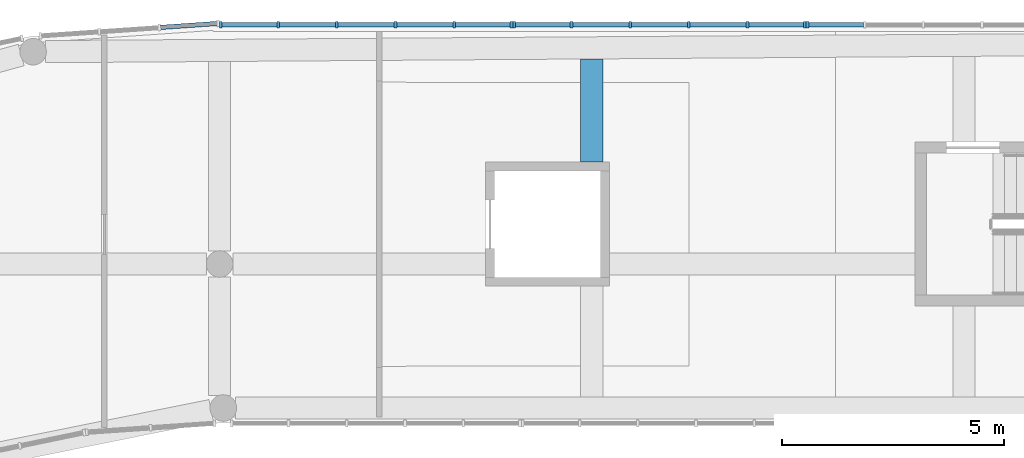
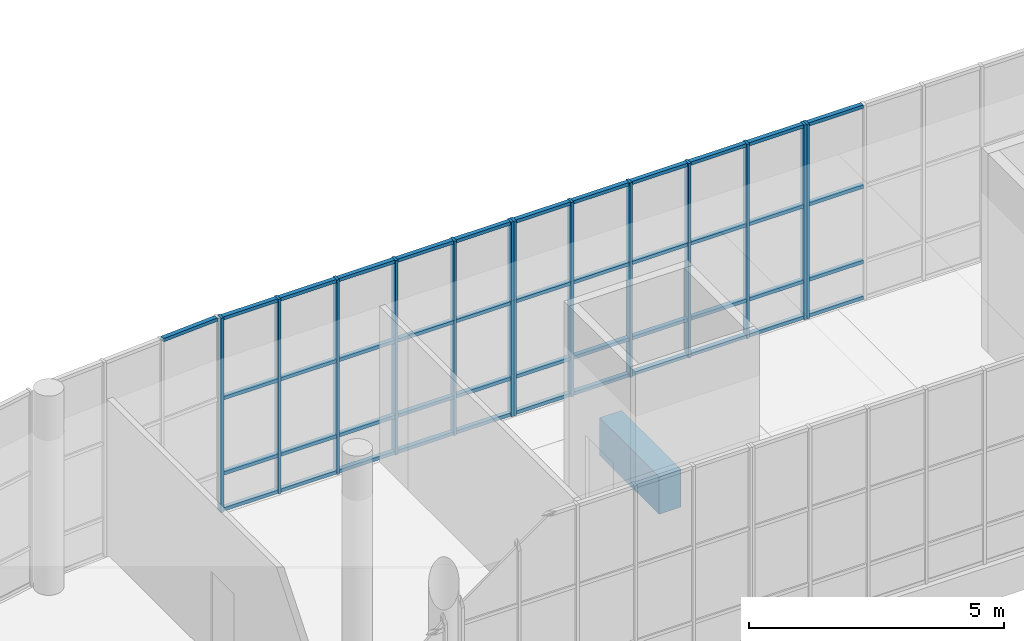
# One storey, part 37 of 119: 58 members, 1 beam, 4 elements without a shape of their own.
"""IFC4 building model written with IfcOpenShell, lengths in metres."""

from ifc_helpers import new_model, si_unit, direction, frame, origin, origin_2d, place, context, subcontext, project, spatial, rectangle, extrude, material, layer, layer_set, material_profile, profile_set, type_object, element, aggregate, save


model = new_model("IFC4")

# Units and contexts
model_context = context("Model", 3, precision=1e-05, world=origin(), true_north=direction((0.0, 1.0)))
body_context = subcontext(model_context, "Body", "Model", "MODEL_VIEW")
ifc_project = project(units=[si_unit("LENGTHUNIT", "METRE"), si_unit("AREAUNIT", "SQUARE_METRE"), si_unit("VOLUMEUNIT", "CUBIC_METRE"), si_unit("PLANEANGLEUNIT", "RADIAN"), si_unit("MASSUNIT", "GRAM", prefix="KILO")], contexts=[model_context])

# Site, building, storey
site_placement = place(None, origin())
site = spatial("IfcSite", under=ifc_project, at=site_placement, CompositionType="ELEMENT")
building_placement = place(site_placement, origin())
building = spatial("IfcBuilding", under=site, at=building_placement, Name="Larchfold Concert Hall", CompositionType="ELEMENT")
storey_placement = place(building_placement, frame((0.0, 0.0, 4.800048828125)))
storey = spatial("IfcBuildingStorey", under=building, at=storey_placement, Name="L01", CompositionType="ELEMENT", Elevation=4.800048828125)

# Curtain wall, member
ifc_material_1 = material(Name="Anodised graphite aluminium curtain wall", Category="aluminium")
ifc_layer = layer(ifc_material_1, 0.14990234375)
ifc_layer_set = layer_set([ifc_layer], Name="Anodised graphite aluminium curtain wall")
curtain_wall_type = type_object("IfcCurtainWallType", Name="Curtain wall WG", PredefinedType="NOTDEFINED", material=ifc_layer_set)
curtain_wall_1_placement = place(storey_placement, origin())
curtain_wall_1 = element("IfcCurtainWall", 1, at=curtain_wall_1_placement, inside=storey, type_object=curtain_wall_type, Name="Curtain wall CW0174", PredefinedType="NOTDEFINED")
ifc_material_2 = material(Name="Anodised graphite aluminium mullion", Category="aluminium")
ifc_material_profile_1 = material_profile(ifc_material_2, rectangle(XDim=0.14990234375, YDim=0.06005859375, at=origin_2d()))
ifc_profile_set_1 = profile_set([ifc_material_profile_1], Name="Anodised graphite aluminium mullion")
member_type_1 = type_object("IfcMemberType", Name="Aluminium mullion 60x150", PredefinedType="MULLION", material=ifc_profile_set_1)
member_1_placement = place(storey_placement, frame((55.8671875, 132.0, 0.0), z_axis=(0.0, 0.0, 1.0), x_axis=(0.0, -1.0, 0.0)))
member_1 = element("IfcMember", 2, at=member_1_placement, type_object=member_type_1, Name="CW0174 mullion 6", PredefinedType="MULLION", context=body_context, shape_type="SweptSolid", body=[
    extrude(rectangle(XDim=0.14990234375, YDim=0.06005859375, at=origin_2d()), origin(), (0.0, 0.0, 1.0), 4.64990234375),
])

# Curtain wall, members
curtain_wall_2_placement = place(storey_placement, origin())
curtain_wall_2 = element("IfcCurtainWall", 3, at=curtain_wall_2_placement, inside=storey, type_object=curtain_wall_type, Name="Curtain wall CW0175", PredefinedType="NOTDEFINED")
member_2_placement = place(storey_placement, frame((55.80712890625, 132.0, 0.0), z_axis=(0.0, 0.0, 1.0), x_axis=(0.0, -1.0, 0.0)))
member_2 = element("IfcMember", 4, at=member_2_placement, type_object=member_type_1, Name="CW0175 mullion 1", PredefinedType="MULLION", context=body_context, shape_type="SweptSolid", body=[
    extrude(rectangle(XDim=0.14990234375, YDim=0.06005859375, at=origin_2d()), origin(), (0.0, 0.0, 1.0), 4.64990234375),
])
member_3_placement = place(storey_placement, frame((54.513427734375, 132.0, 0.0), z_axis=(0.0, 0.0, 1.0), x_axis=(0.0, -1.0, 0.0)))
member_3 = element("IfcMember", 5, at=member_3_placement, type_object=member_type_1, Name="CW0175 mullion 2", PredefinedType="MULLION", context=body_context, shape_type="SweptSolid", body=[
    extrude(rectangle(XDim=0.14990234375, YDim=0.06005859375, at=origin_2d()), origin(), (0.0, 0.0, 1.0), 4.64990234375),
])
member_4_placement = place(storey_placement, frame((53.189697265625, 132.0, 0.0), z_axis=(0.0, 0.0, 1.0), x_axis=(0.0, -1.0, 0.0)))
member_4 = element("IfcMember", 6, at=member_4_placement, type_object=member_type_1, Name="CW0175 mullion 3", PredefinedType="MULLION", context=body_context, shape_type="SweptSolid", body=[
    extrude(rectangle(XDim=0.14990234375, YDim=0.06005859375, at=origin_2d()), origin(), (0.0, 0.0, 1.0), 4.64990234375),
])
member_5_placement = place(storey_placement, frame((51.865966796875, 132.0, 0.0), z_axis=(0.0, 0.0, 1.0), x_axis=(0.0, -1.0, 0.0)))
member_5 = element("IfcMember", 7, at=member_5_placement, type_object=member_type_1, Name="CW0175 mullion 4", PredefinedType="MULLION", context=body_context, shape_type="SweptSolid", body=[
    extrude(rectangle(XDim=0.14990234375, YDim=0.06005859375, at=origin_2d()), origin(), (0.0, 0.0, 1.0), 4.64990234375),
])
member_6_placement = place(storey_placement, frame((50.542236328125, 132.0, 0.0), z_axis=(0.0, 0.0, 1.0), x_axis=(0.0, -1.0, 0.0)))
member_6 = element("IfcMember", 8, at=member_6_placement, type_object=member_type_1, Name="CW0175 mullion 5", PredefinedType="MULLION", context=body_context, shape_type="SweptSolid", body=[
    extrude(rectangle(XDim=0.14990234375, YDim=0.06005859375, at=origin_2d()), origin(), (0.0, 0.0, 1.0), 4.64990234375),
])
member_7_placement = place(storey_placement, frame((49.24853515625, 132.0, 0.0), z_axis=(0.0, 0.0, 1.0), x_axis=(0.0, -1.0, 0.0)))
member_7 = element("IfcMember", 9, at=member_7_placement, type_object=member_type_1, Name="CW0175 mullion 6", PredefinedType="MULLION", context=body_context, shape_type="SweptSolid", body=[
    extrude(rectangle(XDim=0.14990234375, YDim=0.06005859375, at=origin_2d()), origin(), (0.0, 0.0, 1.0), 4.64990234375),
])

curtain_wall_3_placement = place(storey_placement, origin())
curtain_wall_3 = element("IfcCurtainWall", 10, at=curtain_wall_3_placement, inside=storey, type_object=curtain_wall_type, Name="Curtain wall CW0176", PredefinedType="NOTDEFINED")
member_8_placement = place(storey_placement, frame((49.1884765625, 132.0, 0.0), z_axis=(0.0, 0.0, 1.0), x_axis=(0.0, -1.0, 0.0)))
member_8 = element("IfcMember", 11, at=member_8_placement, type_object=member_type_1, Name="CW0176 mullion 1", PredefinedType="MULLION", context=body_context, shape_type="SweptSolid", body=[
    extrude(rectangle(XDim=0.14990234375, YDim=0.06005859375, at=origin_2d()), origin(), (0.0, 0.0, 1.0), 4.64990234375),
])
member_9_placement = place(storey_placement, frame((47.894775390625, 132.0, 0.0), z_axis=(0.0, 0.0, 1.0), x_axis=(0.0, -1.0, 0.0)))
member_9 = element("IfcMember", 12, at=member_9_placement, type_object=member_type_1, Name="CW0176 mullion 2", PredefinedType="MULLION", context=body_context, shape_type="SweptSolid", body=[
    extrude(rectangle(XDim=0.14990234375, YDim=0.06005859375, at=origin_2d()), origin(), (0.0, 0.0, 1.0), 4.64990234375),
])
member_10_placement = place(storey_placement, frame((46.571044921875, 132.0, 0.0), z_axis=(0.0, 0.0, 1.0), x_axis=(0.0, -1.0, 0.0)))
member_10 = element("IfcMember", 13, at=member_10_placement, type_object=member_type_1, Name="CW0176 mullion 3", PredefinedType="MULLION", context=body_context, shape_type="SweptSolid", body=[
    extrude(rectangle(XDim=0.14990234375, YDim=0.06005859375, at=origin_2d()), origin(), (0.0, 0.0, 1.0), 4.64990234375),
])
member_11_placement = place(storey_placement, frame((45.24755859375, 132.0, 0.0), z_axis=(0.0, 0.0, 1.0), x_axis=(0.0, -1.0, 0.0)))
member_11 = element("IfcMember", 14, at=member_11_placement, type_object=member_type_1, Name="CW0176 mullion 4", PredefinedType="MULLION", context=body_context, shape_type="SweptSolid", body=[
    extrude(rectangle(XDim=0.14990234375, YDim=0.06005859375, at=origin_2d()), origin(), (0.0, 0.0, 1.0), 4.64990234375),
])
member_12_placement = place(storey_placement, frame((43.923828125, 132.0, 0.0), z_axis=(0.0, 0.0, 1.0), x_axis=(0.0, -1.0, 0.0)))
member_12 = element("IfcMember", 15, at=member_12_placement, type_object=member_type_1, Name="CW0176 mullion 5", PredefinedType="MULLION", context=body_context, shape_type="SweptSolid", body=[
    extrude(rectangle(XDim=0.14990234375, YDim=0.06005859375, at=origin_2d()), origin(), (0.0, 0.0, 1.0), 4.64990234375),
])
member_13_placement = place(storey_placement, frame((42.630126953125, 132.0, 0.0), z_axis=(0.0, 0.0, 1.0), x_axis=(0.0, -1.0, 0.0)))
member_13 = element("IfcMember", 16, at=member_13_placement, type_object=member_type_1, Name="CW0176 mullion 6", PredefinedType="MULLION", context=body_context, shape_type="SweptSolid", body=[
    extrude(rectangle(XDim=0.14990234375, YDim=0.06005859375, at=origin_2d()), origin(), (0.0, 0.0, 1.0), 4.64990234375),
])

# Member
ifc_material_3 = material(Name="Anodised graphite aluminium transom", Category="aluminium")
ifc_material_profile_2 = material_profile(ifc_material_3, rectangle(XDim=0.10009765625, YDim=0.080078125, at=origin_2d()))
ifc_profile_set_2 = profile_set([ifc_material_profile_2], Name="Anodised graphite aluminium transom")
member_type_2 = type_object("IfcMemberType", Name="Aluminium transom 80x100", PredefinedType="USERDEFINED", material=ifc_profile_set_2)
member_14_placement = place(storey_placement, frame((57.130859375, 132.0, 0.0400390625), z_axis=(-1.0, 0.0, 0.0), x_axis=(0.0, -1.0, 0.0)))
member_14 = element("IfcMember", 17, at=member_14_placement, type_object=member_type_2, Name="CW0174 transom 5.1", ObjectType="TRANSOM", PredefinedType="USERDEFINED", context=body_context, shape_type="SweptSolid", body=[
    extrude(rectangle(XDim=0.10009765625, YDim=0.080078125, at=origin_2d()), origin(), (0.0, 0.0, 1.0), 1.233642578125),
])

member_15_placement = place(storey_placement, frame((57.130859375, 132.0, 0.89990234375), z_axis=(-1.0, 0.0, 0.0), x_axis=(0.0, -1.0, 0.0)))
member_15 = element("IfcMember", 18, at=member_15_placement, type_object=member_type_2, Name="CW0174 transom 5.2", ObjectType="TRANSOM", PredefinedType="USERDEFINED", context=body_context, shape_type="SweptSolid", body=[
    extrude(rectangle(XDim=0.10009765625, YDim=0.080078125, at=origin_2d()), origin(), (0.0, 0.0, 1.0), 1.233642578125),
])

member_16_placement = place(storey_placement, frame((57.130859375, 132.0, 2.699951171875), z_axis=(-1.0, 0.0, 0.0), x_axis=(0.0, -1.0, 0.0)))
member_16 = element("IfcMember", 19, at=member_16_placement, type_object=member_type_2, Name="CW0174 transom 5.3", ObjectType="TRANSOM", PredefinedType="USERDEFINED", context=body_context, shape_type="SweptSolid", body=[
    extrude(rectangle(XDim=0.10009765625, YDim=0.080078125, at=origin_2d()), origin(), (0.0, 0.0, 1.0), 1.233642578125),
])

member_17_placement = place(storey_placement, frame((57.130859375, 132.0, 4.60986328125), z_axis=(-1.0, 0.0, 0.0), x_axis=(0.0, -1.0, 0.0)))
member_17 = element("IfcMember", 20, at=member_17_placement, type_object=member_type_2, Name="CW0174 transom 5.4", ObjectType="TRANSOM", PredefinedType="USERDEFINED", context=body_context, shape_type="SweptSolid", body=[
    extrude(rectangle(XDim=0.10009765625, YDim=0.080078125, at=origin_2d()), origin(), (0.0, 0.0, 1.0), 1.233642578125),
])

aggregate(curtain_wall_1, [member_1, member_14, member_15, member_16, member_17])

member_18_placement = place(storey_placement, frame((55.777099609375, 132.0, 0.0400390625), z_axis=(-1.0, 0.0, 0.0), x_axis=(0.0, -1.0, 0.0)))
member_18 = element("IfcMember", 21, at=member_18_placement, type_object=member_type_2, Name="CW0175 transom 1.1", ObjectType="TRANSOM", PredefinedType="USERDEFINED", context=body_context, shape_type="SweptSolid", body=[
    extrude(rectangle(XDim=0.10009765625, YDim=0.080078125, at=origin_2d()), origin(), (0.0, 0.0, 1.0), 1.233642578125),
])

member_19_placement = place(storey_placement, frame((55.777099609375, 132.0, 0.89990234375), z_axis=(-1.0, 0.0, 0.0), x_axis=(0.0, -1.0, 0.0)))
member_19 = element("IfcMember", 22, at=member_19_placement, type_object=member_type_2, Name="CW0175 transom 1.2", ObjectType="TRANSOM", PredefinedType="USERDEFINED", context=body_context, shape_type="SweptSolid", body=[
    extrude(rectangle(XDim=0.10009765625, YDim=0.080078125, at=origin_2d()), origin(), (0.0, 0.0, 1.0), 1.233642578125),
])

member_20_placement = place(storey_placement, frame((55.777099609375, 132.0, 2.699951171875), z_axis=(-1.0, 0.0, 0.0), x_axis=(0.0, -1.0, 0.0)))
member_20 = element("IfcMember", 23, at=member_20_placement, type_object=member_type_2, Name="CW0175 transom 1.3", ObjectType="TRANSOM", PredefinedType="USERDEFINED", context=body_context, shape_type="SweptSolid", body=[
    extrude(rectangle(XDim=0.10009765625, YDim=0.080078125, at=origin_2d()), origin(), (0.0, 0.0, 1.0), 1.233642578125),
])

member_21_placement = place(storey_placement, frame((55.777099609375, 132.0, 4.60986328125), z_axis=(-1.0, 0.0, 0.0), x_axis=(0.0, -1.0, 0.0)))
member_21 = element("IfcMember", 24, at=member_21_placement, type_object=member_type_2, Name="CW0175 transom 1.4", ObjectType="TRANSOM", PredefinedType="USERDEFINED", context=body_context, shape_type="SweptSolid", body=[
    extrude(rectangle(XDim=0.10009765625, YDim=0.080078125, at=origin_2d()), origin(), (0.0, 0.0, 1.0), 1.233642578125),
])

member_22_placement = place(storey_placement, frame((54.4833984375, 132.0, 0.0400390625), z_axis=(-1.0, 0.0, 0.0), x_axis=(0.0, -1.0, 0.0)))
member_22 = element("IfcMember", 25, at=member_22_placement, type_object=member_type_2, Name="CW0175 transom 2.1", ObjectType="TRANSOM", PredefinedType="USERDEFINED", context=body_context, shape_type="SweptSolid", body=[
    extrude(rectangle(XDim=0.10009765625, YDim=0.080078125, at=origin_2d()), origin(), (0.0, 0.0, 1.0), 1.263671875),
])

member_23_placement = place(storey_placement, frame((54.4833984375, 132.0, 0.89990234375), z_axis=(-1.0, 0.0, 0.0), x_axis=(0.0, -1.0, 0.0)))
member_23 = element("IfcMember", 26, at=member_23_placement, type_object=member_type_2, Name="CW0175 transom 2.2", ObjectType="TRANSOM", PredefinedType="USERDEFINED", context=body_context, shape_type="SweptSolid", body=[
    extrude(rectangle(XDim=0.10009765625, YDim=0.080078125, at=origin_2d()), origin(), (0.0, 0.0, 1.0), 1.263671875),
])

member_24_placement = place(storey_placement, frame((54.4833984375, 132.0, 2.699951171875), z_axis=(-1.0, 0.0, 0.0), x_axis=(0.0, -1.0, 0.0)))
member_24 = element("IfcMember", 27, at=member_24_placement, type_object=member_type_2, Name="CW0175 transom 2.3", ObjectType="TRANSOM", PredefinedType="USERDEFINED", context=body_context, shape_type="SweptSolid", body=[
    extrude(rectangle(XDim=0.10009765625, YDim=0.080078125, at=origin_2d()), origin(), (0.0, 0.0, 1.0), 1.263671875),
])

member_25_placement = place(storey_placement, frame((54.4833984375, 132.0, 4.60986328125), z_axis=(-1.0, 0.0, 0.0), x_axis=(0.0, -1.0, 0.0)))
member_25 = element("IfcMember", 28, at=member_25_placement, type_object=member_type_2, Name="CW0175 transom 2.4", ObjectType="TRANSOM", PredefinedType="USERDEFINED", context=body_context, shape_type="SweptSolid", body=[
    extrude(rectangle(XDim=0.10009765625, YDim=0.080078125, at=origin_2d()), origin(), (0.0, 0.0, 1.0), 1.263671875),
])

member_26_placement = place(storey_placement, frame((53.15966796875, 132.0, 0.0400390625), z_axis=(-1.0, 0.0, 0.0), x_axis=(0.0, -1.0, 0.0)))
member_26 = element("IfcMember", 29, at=member_26_placement, type_object=member_type_2, Name="CW0175 transom 3.1", ObjectType="TRANSOM", PredefinedType="USERDEFINED", context=body_context, shape_type="SweptSolid", body=[
    extrude(rectangle(XDim=0.10009765625, YDim=0.080078125, at=origin_2d()), origin(), (0.0, 0.0, 1.0), 1.263671875),
])

member_27_placement = place(storey_placement, frame((53.15966796875, 132.0, 0.89990234375), z_axis=(-1.0, 0.0, 0.0), x_axis=(0.0, -1.0, 0.0)))
member_27 = element("IfcMember", 30, at=member_27_placement, type_object=member_type_2, Name="CW0175 transom 3.2", ObjectType="TRANSOM", PredefinedType="USERDEFINED", context=body_context, shape_type="SweptSolid", body=[
    extrude(rectangle(XDim=0.10009765625, YDim=0.080078125, at=origin_2d()), origin(), (0.0, 0.0, 1.0), 1.263671875),
])

member_28_placement = place(storey_placement, frame((53.15966796875, 132.0, 2.699951171875), z_axis=(-1.0, 0.0, 0.0), x_axis=(0.0, -1.0, 0.0)))
member_28 = element("IfcMember", 31, at=member_28_placement, type_object=member_type_2, Name="CW0175 transom 3.3", ObjectType="TRANSOM", PredefinedType="USERDEFINED", context=body_context, shape_type="SweptSolid", body=[
    extrude(rectangle(XDim=0.10009765625, YDim=0.080078125, at=origin_2d()), origin(), (0.0, 0.0, 1.0), 1.263671875),
])

member_29_placement = place(storey_placement, frame((53.15966796875, 132.0, 4.60986328125), z_axis=(-1.0, 0.0, 0.0), x_axis=(0.0, -1.0, 0.0)))
member_29 = element("IfcMember", 32, at=member_29_placement, type_object=member_type_2, Name="CW0175 transom 3.4", ObjectType="TRANSOM", PredefinedType="USERDEFINED", context=body_context, shape_type="SweptSolid", body=[
    extrude(rectangle(XDim=0.10009765625, YDim=0.080078125, at=origin_2d()), origin(), (0.0, 0.0, 1.0), 1.263671875),
])

member_30_placement = place(storey_placement, frame((51.8359375, 132.0, 0.0400390625), z_axis=(-1.0, 0.0, 0.0), x_axis=(0.0, -1.0, 0.0)))
member_30 = element("IfcMember", 33, at=member_30_placement, type_object=member_type_2, Name="CW0175 transom 4.1", ObjectType="TRANSOM", PredefinedType="USERDEFINED", context=body_context, shape_type="SweptSolid", body=[
    extrude(rectangle(XDim=0.10009765625, YDim=0.080078125, at=origin_2d()), origin(), (0.0, 0.0, 1.0), 1.263671875),
])

member_31_placement = place(storey_placement, frame((51.8359375, 132.0, 0.89990234375), z_axis=(-1.0, 0.0, 0.0), x_axis=(0.0, -1.0, 0.0)))
member_31 = element("IfcMember", 34, at=member_31_placement, type_object=member_type_2, Name="CW0175 transom 4.2", ObjectType="TRANSOM", PredefinedType="USERDEFINED", context=body_context, shape_type="SweptSolid", body=[
    extrude(rectangle(XDim=0.10009765625, YDim=0.080078125, at=origin_2d()), origin(), (0.0, 0.0, 1.0), 1.263671875),
])

member_32_placement = place(storey_placement, frame((51.8359375, 132.0, 2.699951171875), z_axis=(-1.0, 0.0, 0.0), x_axis=(0.0, -1.0, 0.0)))
member_32 = element("IfcMember", 35, at=member_32_placement, type_object=member_type_2, Name="CW0175 transom 4.3", ObjectType="TRANSOM", PredefinedType="USERDEFINED", context=body_context, shape_type="SweptSolid", body=[
    extrude(rectangle(XDim=0.10009765625, YDim=0.080078125, at=origin_2d()), origin(), (0.0, 0.0, 1.0), 1.263671875),
])

member_33_placement = place(storey_placement, frame((51.8359375, 132.0, 4.60986328125), z_axis=(-1.0, 0.0, 0.0), x_axis=(0.0, -1.0, 0.0)))
member_33 = element("IfcMember", 36, at=member_33_placement, type_object=member_type_2, Name="CW0175 transom 4.4", ObjectType="TRANSOM", PredefinedType="USERDEFINED", context=body_context, shape_type="SweptSolid", body=[
    extrude(rectangle(XDim=0.10009765625, YDim=0.080078125, at=origin_2d()), origin(), (0.0, 0.0, 1.0), 1.263671875),
])

member_34_placement = place(storey_placement, frame((50.51220703125, 132.0, 0.0400390625), z_axis=(-1.0, 0.0, 0.0), x_axis=(0.0, -1.0, 0.0)))
member_34 = element("IfcMember", 37, at=member_34_placement, type_object=member_type_2, Name="CW0175 transom 5.1", ObjectType="TRANSOM", PredefinedType="USERDEFINED", context=body_context, shape_type="SweptSolid", body=[
    extrude(rectangle(XDim=0.10009765625, YDim=0.080078125, at=origin_2d()), origin(), (0.0, 0.0, 1.0), 1.233642578125),
])

member_35_placement = place(storey_placement, frame((50.51220703125, 132.0, 0.89990234375), z_axis=(-1.0, 0.0, 0.0), x_axis=(0.0, -1.0, 0.0)))
member_35 = element("IfcMember", 38, at=member_35_placement, type_object=member_type_2, Name="CW0175 transom 5.2", ObjectType="TRANSOM", PredefinedType="USERDEFINED", context=body_context, shape_type="SweptSolid", body=[
    extrude(rectangle(XDim=0.10009765625, YDim=0.080078125, at=origin_2d()), origin(), (0.0, 0.0, 1.0), 1.233642578125),
])

member_36_placement = place(storey_placement, frame((50.51220703125, 132.0, 2.699951171875), z_axis=(-1.0, 0.0, 0.0), x_axis=(0.0, -1.0, 0.0)))
member_36 = element("IfcMember", 39, at=member_36_placement, type_object=member_type_2, Name="CW0175 transom 5.3", ObjectType="TRANSOM", PredefinedType="USERDEFINED", context=body_context, shape_type="SweptSolid", body=[
    extrude(rectangle(XDim=0.10009765625, YDim=0.080078125, at=origin_2d()), origin(), (0.0, 0.0, 1.0), 1.233642578125),
])

member_37_placement = place(storey_placement, frame((50.51220703125, 132.0, 4.60986328125), z_axis=(-1.0, 0.0, 0.0), x_axis=(0.0, -1.0, 0.0)))
member_37 = element("IfcMember", 40, at=member_37_placement, type_object=member_type_2, Name="CW0175 transom 5.4", ObjectType="TRANSOM", PredefinedType="USERDEFINED", context=body_context, shape_type="SweptSolid", body=[
    extrude(rectangle(XDim=0.10009765625, YDim=0.080078125, at=origin_2d()), origin(), (0.0, 0.0, 1.0), 1.233642578125),
])

aggregate(curtain_wall_2, [member_2, member_3, member_4, member_5, member_6, member_7, member_18, member_19, member_20, member_21, member_22, member_23, member_24, member_25, member_26, member_27, member_28, member_29, member_30, member_31, member_32, member_33, member_34, member_35, member_36, member_37])

member_38_placement = place(storey_placement, frame((49.158447265625, 132.0, 0.0400390625), z_axis=(-1.0, 0.0, 0.0), x_axis=(0.0, -1.0, 0.0)))
member_38 = element("IfcMember", 41, at=member_38_placement, type_object=member_type_2, Name="CW0176 transom 1.1", ObjectType="TRANSOM", PredefinedType="USERDEFINED", context=body_context, shape_type="SweptSolid", body=[
    extrude(rectangle(XDim=0.10009765625, YDim=0.080078125, at=origin_2d()), origin(), (0.0, 0.0, 1.0), 1.233642578125),
])

member_39_placement = place(storey_placement, frame((49.158447265625, 132.0, 0.89990234375), z_axis=(-1.0, 0.0, 0.0), x_axis=(0.0, -1.0, 0.0)))
member_39 = element("IfcMember", 42, at=member_39_placement, type_object=member_type_2, Name="CW0176 transom 1.2", ObjectType="TRANSOM", PredefinedType="USERDEFINED", context=body_context, shape_type="SweptSolid", body=[
    extrude(rectangle(XDim=0.10009765625, YDim=0.080078125, at=origin_2d()), origin(), (0.0, 0.0, 1.0), 1.233642578125),
])

member_40_placement = place(storey_placement, frame((49.158447265625, 132.0, 2.699951171875), z_axis=(-1.0, 0.0, 0.0), x_axis=(0.0, -1.0, 0.0)))
member_40 = element("IfcMember", 43, at=member_40_placement, type_object=member_type_2, Name="CW0176 transom 1.3", ObjectType="TRANSOM", PredefinedType="USERDEFINED", context=body_context, shape_type="SweptSolid", body=[
    extrude(rectangle(XDim=0.10009765625, YDim=0.080078125, at=origin_2d()), origin(), (0.0, 0.0, 1.0), 1.233642578125),
])

member_41_placement = place(storey_placement, frame((49.158447265625, 132.0, 4.60986328125), z_axis=(-1.0, 0.0, 0.0), x_axis=(0.0, -1.0, 0.0)))
member_41 = element("IfcMember", 44, at=member_41_placement, type_object=member_type_2, Name="CW0176 transom 1.4", ObjectType="TRANSOM", PredefinedType="USERDEFINED", context=body_context, shape_type="SweptSolid", body=[
    extrude(rectangle(XDim=0.10009765625, YDim=0.080078125, at=origin_2d()), origin(), (0.0, 0.0, 1.0), 1.233642578125),
])

member_42_placement = place(storey_placement, frame((47.86474609375, 132.0, 0.0400390625), z_axis=(-1.0, 0.0, 0.0), x_axis=(0.0, -1.0, 0.0)))
member_42 = element("IfcMember", 45, at=member_42_placement, type_object=member_type_2, Name="CW0176 transom 2.1", ObjectType="TRANSOM", PredefinedType="USERDEFINED", context=body_context, shape_type="SweptSolid", body=[
    extrude(rectangle(XDim=0.10009765625, YDim=0.080078125, at=origin_2d()), origin(), (0.0, 0.0, 1.0), 1.263671875),
])

member_43_placement = place(storey_placement, frame((47.86474609375, 132.0, 0.89990234375), z_axis=(-1.0, 0.0, 0.0), x_axis=(0.0, -1.0, 0.0)))
member_43 = element("IfcMember", 46, at=member_43_placement, type_object=member_type_2, Name="CW0176 transom 2.2", ObjectType="TRANSOM", PredefinedType="USERDEFINED", context=body_context, shape_type="SweptSolid", body=[
    extrude(rectangle(XDim=0.10009765625, YDim=0.080078125, at=origin_2d()), origin(), (0.0, 0.0, 1.0), 1.263671875),
])

member_44_placement = place(storey_placement, frame((47.86474609375, 132.0, 2.699951171875), z_axis=(-1.0, 0.0, 0.0), x_axis=(0.0, -1.0, 0.0)))
member_44 = element("IfcMember", 47, at=member_44_placement, type_object=member_type_2, Name="CW0176 transom 2.3", ObjectType="TRANSOM", PredefinedType="USERDEFINED", context=body_context, shape_type="SweptSolid", body=[
    extrude(rectangle(XDim=0.10009765625, YDim=0.080078125, at=origin_2d()), origin(), (0.0, 0.0, 1.0), 1.263671875),
])

member_45_placement = place(storey_placement, frame((47.86474609375, 132.0, 4.60986328125), z_axis=(-1.0, 0.0, 0.0), x_axis=(0.0, -1.0, 0.0)))
member_45 = element("IfcMember", 48, at=member_45_placement, type_object=member_type_2, Name="CW0176 transom 2.4", ObjectType="TRANSOM", PredefinedType="USERDEFINED", context=body_context, shape_type="SweptSolid", body=[
    extrude(rectangle(XDim=0.10009765625, YDim=0.080078125, at=origin_2d()), origin(), (0.0, 0.0, 1.0), 1.263671875),
])

member_46_placement = place(storey_placement, frame((46.541259765625, 132.0, 0.0400390625), z_axis=(-1.0, 0.0, 0.0), x_axis=(0.0, -1.0, 0.0)))
member_46 = element("IfcMember", 49, at=member_46_placement, type_object=member_type_2, Name="CW0176 transom 3.1", ObjectType="TRANSOM", PredefinedType="USERDEFINED", context=body_context, shape_type="SweptSolid", body=[
    extrude(rectangle(XDim=0.10009765625, YDim=0.080078125, at=origin_2d()), origin(), (0.0, 0.0, 1.0), 1.263916015625),
])

member_47_placement = place(storey_placement, frame((46.541259765625, 132.0, 0.89990234375), z_axis=(-1.0, 0.0, 0.0), x_axis=(0.0, -1.0, 0.0)))
member_47 = element("IfcMember", 50, at=member_47_placement, type_object=member_type_2, Name="CW0176 transom 3.2", ObjectType="TRANSOM", PredefinedType="USERDEFINED", context=body_context, shape_type="SweptSolid", body=[
    extrude(rectangle(XDim=0.10009765625, YDim=0.080078125, at=origin_2d()), origin(), (0.0, 0.0, 1.0), 1.263916015625),
])

member_48_placement = place(storey_placement, frame((46.541259765625, 132.0, 2.699951171875), z_axis=(-1.0, 0.0, 0.0), x_axis=(0.0, -1.0, 0.0)))
member_48 = element("IfcMember", 51, at=member_48_placement, type_object=member_type_2, Name="CW0176 transom 3.3", ObjectType="TRANSOM", PredefinedType="USERDEFINED", context=body_context, shape_type="SweptSolid", body=[
    extrude(rectangle(XDim=0.10009765625, YDim=0.080078125, at=origin_2d()), origin(), (0.0, 0.0, 1.0), 1.263916015625),
])

member_49_placement = place(storey_placement, frame((46.541259765625, 132.0, 4.60986328125), z_axis=(-1.0, 0.0, 0.0), x_axis=(0.0, -1.0, 0.0)))
member_49 = element("IfcMember", 52, at=member_49_placement, type_object=member_type_2, Name="CW0176 transom 3.4", ObjectType="TRANSOM", PredefinedType="USERDEFINED", context=body_context, shape_type="SweptSolid", body=[
    extrude(rectangle(XDim=0.10009765625, YDim=0.080078125, at=origin_2d()), origin(), (0.0, 0.0, 1.0), 1.263916015625),
])

member_50_placement = place(storey_placement, frame((45.217529296875, 132.0, 0.0400390625), z_axis=(-1.0, 0.0, 0.0), x_axis=(0.0, -1.0, 0.0)))
member_50 = element("IfcMember", 53, at=member_50_placement, type_object=member_type_2, Name="CW0176 transom 4.1", ObjectType="TRANSOM", PredefinedType="USERDEFINED", context=body_context, shape_type="SweptSolid", body=[
    extrude(rectangle(XDim=0.10009765625, YDim=0.080078125, at=origin_2d()), origin(), (0.0, 0.0, 1.0), 1.263671875),
])

member_51_placement = place(storey_placement, frame((45.217529296875, 132.0, 0.89990234375), z_axis=(-1.0, 0.0, 0.0), x_axis=(0.0, -1.0, 0.0)))
member_51 = element("IfcMember", 54, at=member_51_placement, type_object=member_type_2, Name="CW0176 transom 4.2", ObjectType="TRANSOM", PredefinedType="USERDEFINED", context=body_context, shape_type="SweptSolid", body=[
    extrude(rectangle(XDim=0.10009765625, YDim=0.080078125, at=origin_2d()), origin(), (0.0, 0.0, 1.0), 1.263671875),
])

member_52_placement = place(storey_placement, frame((45.217529296875, 132.0, 2.699951171875), z_axis=(-1.0, 0.0, 0.0), x_axis=(0.0, -1.0, 0.0)))
member_52 = element("IfcMember", 55, at=member_52_placement, type_object=member_type_2, Name="CW0176 transom 4.3", ObjectType="TRANSOM", PredefinedType="USERDEFINED", context=body_context, shape_type="SweptSolid", body=[
    extrude(rectangle(XDim=0.10009765625, YDim=0.080078125, at=origin_2d()), origin(), (0.0, 0.0, 1.0), 1.263671875),
])

member_53_placement = place(storey_placement, frame((45.217529296875, 132.0, 4.60986328125), z_axis=(-1.0, 0.0, 0.0), x_axis=(0.0, -1.0, 0.0)))
member_53 = element("IfcMember", 56, at=member_53_placement, type_object=member_type_2, Name="CW0176 transom 4.4", ObjectType="TRANSOM", PredefinedType="USERDEFINED", context=body_context, shape_type="SweptSolid", body=[
    extrude(rectangle(XDim=0.10009765625, YDim=0.080078125, at=origin_2d()), origin(), (0.0, 0.0, 1.0), 1.263671875),
])

member_54_placement = place(storey_placement, frame((43.893798828125, 132.0, 0.0400390625), z_axis=(-1.0, 0.0, 0.0), x_axis=(0.0, -1.0, 0.0)))
member_54 = element("IfcMember", 57, at=member_54_placement, type_object=member_type_2, Name="CW0176 transom 5.1", ObjectType="TRANSOM", PredefinedType="USERDEFINED", context=body_context, shape_type="SweptSolid", body=[
    extrude(rectangle(XDim=0.10009765625, YDim=0.080078125, at=origin_2d()), origin(), (0.0, 0.0, 1.0), 1.233642578125),
])

member_55_placement = place(storey_placement, frame((43.893798828125, 132.0, 0.89990234375), z_axis=(-1.0, 0.0, 0.0), x_axis=(0.0, -1.0, 0.0)))
member_55 = element("IfcMember", 58, at=member_55_placement, type_object=member_type_2, Name="CW0176 transom 5.2", ObjectType="TRANSOM", PredefinedType="USERDEFINED", context=body_context, shape_type="SweptSolid", body=[
    extrude(rectangle(XDim=0.10009765625, YDim=0.080078125, at=origin_2d()), origin(), (0.0, 0.0, 1.0), 1.233642578125),
])

member_56_placement = place(storey_placement, frame((43.893798828125, 132.0, 2.699951171875), z_axis=(-1.0, 0.0, 0.0), x_axis=(0.0, -1.0, 0.0)))
member_56 = element("IfcMember", 59, at=member_56_placement, type_object=member_type_2, Name="CW0176 transom 5.3", ObjectType="TRANSOM", PredefinedType="USERDEFINED", context=body_context, shape_type="SweptSolid", body=[
    extrude(rectangle(XDim=0.10009765625, YDim=0.080078125, at=origin_2d()), origin(), (0.0, 0.0, 1.0), 1.233642578125),
])

member_57_placement = place(storey_placement, frame((43.893798828125, 132.0, 4.60986328125), z_axis=(-1.0, 0.0, 0.0), x_axis=(0.0, -1.0, 0.0)))
member_57 = element("IfcMember", 60, at=member_57_placement, type_object=member_type_2, Name="CW0176 transom 5.4", ObjectType="TRANSOM", PredefinedType="USERDEFINED", context=body_context, shape_type="SweptSolid", body=[
    extrude(rectangle(XDim=0.10009765625, YDim=0.080078125, at=origin_2d()), origin(), (0.0, 0.0, 1.0), 1.233642578125),
])

aggregate(curtain_wall_3, [member_8, member_9, member_10, member_11, member_12, member_13, member_38, member_39, member_40, member_41, member_42, member_43, member_44, member_45, member_46, member_47, member_48, member_49, member_50, member_51, member_52, member_53, member_54, member_55, member_56, member_57])

# Curtain wall, member
curtain_wall_4_placement = place(storey_placement, origin())
curtain_wall_4 = element("IfcCurtainWall", 61, at=curtain_wall_4_placement, inside=storey, type_object=curtain_wall_type, Name="Curtain wall CW0177", PredefinedType="NOTDEFINED")
member_58_placement = place(storey_placement, frame((42.540283203125, 132.02783203125, 4.60986328125), z_axis=(-0.99763396324, -0.068749366475, 0.0), x_axis=(0.068749366475, -0.99763396324, 0.0)))
member_58 = element("IfcMember", 62, at=member_58_placement, type_object=member_type_2, Name="CW0177 transom 1.4", ObjectType="TRANSOM", PredefinedType="USERDEFINED", context=body_context, shape_type="SweptSolid", body=[
    extrude(rectangle(XDim=0.10009765625, YDim=0.080078125, at=origin_2d()), origin(), (0.0, 0.0, 1.0), 1.271240234375),
])
aggregate(curtain_wall_4, [member_58])

# Beam
ifc_material_4 = material(Name="Concrete C35/45", Category="concrete")
ifc_material_profile_3 = material_profile(ifc_material_4, rectangle(XDim=0.5, YDim=0.89990234375, at=origin_2d()))
ifc_profile_set_3 = profile_set([ifc_material_profile_3], Name="Concrete C35/45")
beam_type = type_object("IfcBeamType", Name="Beam RC 500x900", PredefinedType="BEAM", material=ifc_profile_set_3)
beam_placement = place(storey_placement, frame((51.0, 128.89990234375, -0.60009765625), z_axis=(0.0, 1.0, 0.0), x_axis=(-1.0, 0.0, 0.0)))
element("IfcBeam", 63, at=beam_placement, inside=storey, type_object=beam_type, Name="Beam B1906", PredefinedType="BEAM", context=body_context, shape_type="SweptSolid", body=[
    extrude(rectangle(XDim=0.5, YDim=0.89990234375, at=origin_2d()), origin(), (0.0, 0.0, 1.0), 2.328369140625),
])

save(model, "model.ifc")
